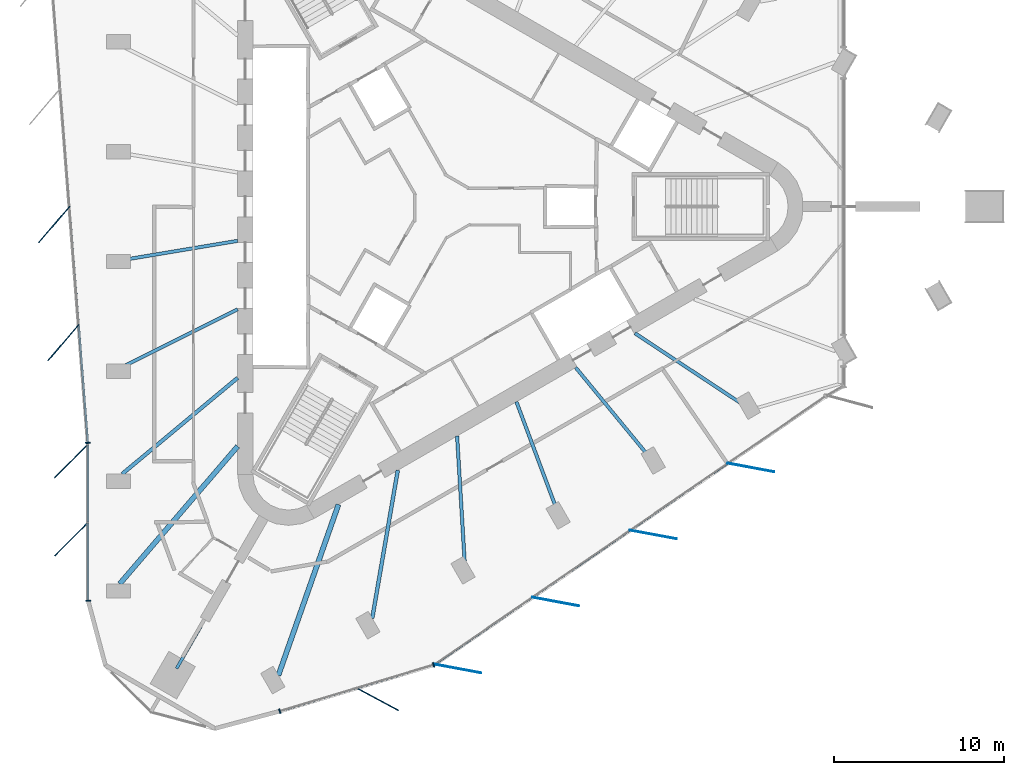
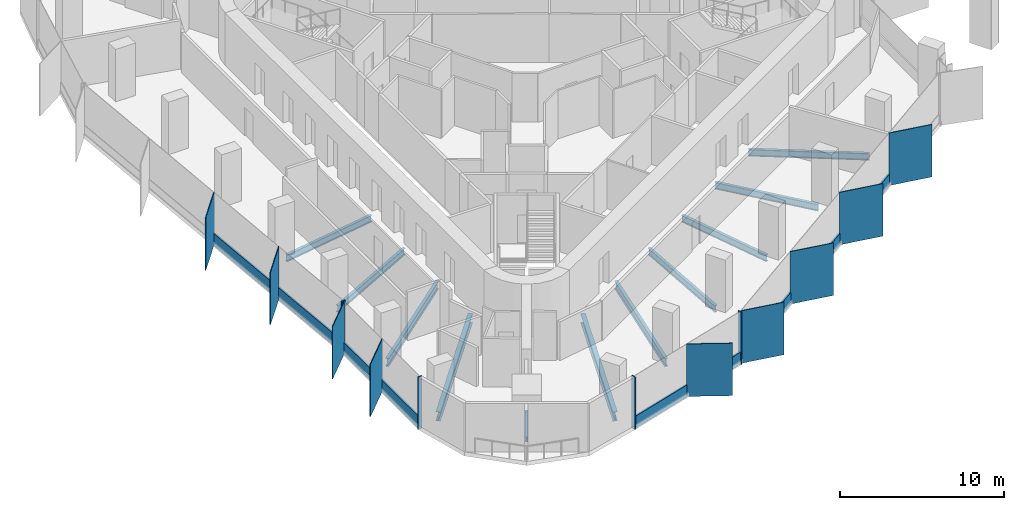
# One storey, part 2 of 12: 22 members, 11 beams, 4 elements without a shape of their own.
"""IFC4 building model written with IfcOpenShell, lengths in metres."""

import ifcopenshell
import ifcopenshell.guid

model = None  # the IFC model being written
_history = None  # IfcOwnerHistory: only IFC2X3 demands one
_inside = {}  # id of a spatial element -> (the spatial element, [elements in it])
_under = {}  # id of a project, library or spatial element -> (it, [spatial elements below it])
_declared = {}  # id of a project -> (the project, [libraries it declares])
_typed = {}  # id of a type object -> (the type object, [elements of that type])
_made_of = {}  # id of a material, layer set ... -> (it, [elements and type objects made of it])


def new_model(schema):
    """Start an empty IFC model of exactly this schema.

    Asked for "IFC4X3", IfcOpenShell would pick the latest addendum, in which some entities
    have other attributes; the version numbers below select the first issue.
    IFC2X3 requires an IfcOwnerHistory on every rooted entity: one is made here for all.
    """
    global model, _history
    if schema == "IFC4X3":
        model = ifcopenshell.file(schema_version=(4, 3, 0, 0))
    else:
        model = ifcopenshell.file(schema=schema)
    _inside.clear()
    _under.clear()
    _declared.clear()
    _typed.clear()
    _made_of.clear()
    _history = None
    if model.schema == "IFC2X3":
        org = make("IfcOrganization", Name="unknown")
        user = make(
            "IfcPersonAndOrganization",
            ThePerson=make("IfcPerson", FamilyName="unknown"),
            TheOrganization=org,
        )
        app = make(
            "IfcApplication",
            ApplicationDeveloper=org,
            Version="unknown",
            ApplicationFullName="unknown",
            ApplicationIdentifier="unknown",
        )
        _history = make(
            "IfcOwnerHistory",
            OwningUser=user,
            OwningApplication=app,
            ChangeAction="ADDED",
            CreationDate=0,
        )
    return model


def make(cls, **values):
    """One entity of the class cls with the attributes given. An attribute that is None is left unset."""
    return model.create_entity(
        cls, **{name: value for name, value in values.items() if value is not None}
    )


def rooted(cls, **values):
    """An entity with a GlobalId (a new one), such as an element, a storey or a relation."""
    return make(cls, GlobalId=ifcopenshell.guid.new(), OwnerHistory=_history, **values)


def si_unit(unit_type, name, prefix=None):
    """IfcSIUnit, for example si_unit("LENGTHUNIT", "METRE", prefix="MILLI")."""
    return make("IfcSIUnit", UnitType=unit_type, Prefix=prefix, Name=name)


def assignment(units):
    """IfcUnitAssignment: the units of a project."""
    return None if units is None else make("IfcUnitAssignment", Units=units)


def point(xyz):
    """IfcCartesianPoint."""
    return None if xyz is None else make("IfcCartesianPoint", Coordinates=xyz)


def direction(xyz):
    """IfcDirection."""
    return None if xyz is None else make("IfcDirection", DirectionRatios=xyz)


def frame(location, z_axis=None, x_axis=None):
    """IfcAxis2Placement3D, a coordinate frame: its origin and axes. An axis left out is left unset."""
    return make(
        "IfcAxis2Placement3D",
        Location=point(location),
        Axis=direction(z_axis),
        RefDirection=direction(x_axis),
    )


def frame_2d(location, x_axis=None):
    """IfcAxis2Placement2D, a coordinate frame in the plane: its origin and x axis."""
    return make(
        "IfcAxis2Placement2D", Location=point(location), RefDirection=direction(x_axis)
    )


def origin():
    """The frame at (0, 0, 0) with its axes left unset."""
    return frame((0.0, 0.0, 0.0))


def origin_2d():
    """The frame at (0, 0) in the plane with its x axis left unset."""
    return frame_2d((0.0, 0.0))


def place(relative_to, where):
    """IfcLocalPlacement: puts the frame where relative to a parent placement (None: the world)."""
    return make(
        "IfcLocalPlacement", PlacementRelTo=relative_to, RelativePlacement=where
    )


def context(
    kind, dimensions, precision=None, world=None, true_north=None, identifier=None
):
    """IfcGeometricRepresentationContext, for example the 3D "Model" context."""
    return make(
        "IfcGeometricRepresentationContext",
        ContextIdentifier=identifier,
        ContextType=kind,
        CoordinateSpaceDimension=dimensions,
        Precision=precision,
        WorldCoordinateSystem=world,
        TrueNorth=true_north,
    )


def subcontext(parent, identifier, kind, view, scale=None):
    """IfcGeometricRepresentationSubContext, for example "Body" below "Model"."""
    return make(
        "IfcGeometricRepresentationSubContext",
        ContextIdentifier=identifier,
        ContextType=kind,
        ParentContext=parent,
        TargetScale=scale,
        TargetView=view,
    )


def project(units=None, contexts=None):
    """IfcProject with its units and contexts."""
    return rooted(
        "IfcProject",
        Name="project",
        RepresentationContexts=contexts,
        UnitsInContext=assignment(units),
    )


def spatial(cls, under=None, at=None, **own):
    """A site, building, storey or space (cls), placed at a placement, below another one or the project."""
    s = rooted(cls, ObjectPlacement=at, **own)
    if under is not None:
        _under.setdefault(under.id(), (under, []))[1].append(s)
    return s


def profile(cls, at=None, kind="AREA", **sizes):
    """A parametric profile (cls). Its sizes go by their IFC names, for example OverallWidth=200.0."""
    return make(cls, ProfileType=kind, Position=at, **sizes)


def rectangle(**sizes):
    """IfcRectangleProfileDef."""
    return profile("IfcRectangleProfileDef", **sizes)


def i_section(**sizes):
    """IfcIShapeProfileDef."""
    return profile("IfcIShapeProfileDef", **sizes)


def extrude(swept, where, along, depth):
    """IfcExtrudedAreaSolid: the profile swept, set in the frame where, extruded along a direction by depth."""
    return make(
        "IfcExtrudedAreaSolid",
        SweptArea=swept,
        Position=where,
        ExtrudedDirection=direction(along),
        Depth=depth,
    )


def shape(context_of_items, identifier, shape_type, items):
    """IfcShapeRepresentation: the items that make up one representation, for example the "Body"."""
    return make(
        "IfcShapeRepresentation",
        ContextOfItems=context_of_items,
        RepresentationIdentifier=identifier,
        RepresentationType=shape_type,
        Items=items,
    )


def material(Name=None, Category=None):
    """IfcMaterial."""
    return make("IfcMaterial", Name=Name, Category=Category)


def material_profile(
    of_material, cross_section, Name=None, Category=None, Priority=None
):
    """IfcMaterialProfile: a cross section and its material."""
    return make(
        "IfcMaterialProfile",
        Name=Name,
        Material=of_material,
        Profile=cross_section,
        Priority=Priority,
        Category=Category,
    )


def profile_set(profiles, Name=None, composite=None):
    """IfcMaterialProfileSet."""
    return make(
        "IfcMaterialProfileSet",
        Name=Name,
        MaterialProfiles=profiles,
        CompositeProfile=composite,
    )


def made_of(thing, what):
    """Note that an element or type object is made of a material, layer set ...; save() writes the relation."""
    if what is not None:
        _made_of.setdefault(what.id(), (what, []))[1].append(thing)
    return thing


def type_object(cls, material=None, **own):
    """A type object (cls), such as IfcWallType, which elements share."""
    return made_of(rooted(cls, **own), material)


def element(
    cls,
    number,
    at=None,
    inside=None,
    cuts=None,
    type_object=None,
    material=None,
    context=None,
    identifier="Body",
    shape_type=None,
    held_by="IfcProductDefinitionShape",
    body=None,
    shapes=None,
    **own,
):
    """One element of the class cls, such as IfcWall. Its Tag is "e" and its number.

    at: its placement. inside: the storey or other place that contains it. cuts: it is an
    opening in that element (IfcRelVoidsElement). A single representation is given by context,
    identifier, shape_type and body (its items); several are given by shapes. held_by: the class
    of the entity that holds the representations. save() writes the other relations.
    """
    e = rooted(cls, Tag="e%d" % number, ObjectPlacement=at, **own)
    if body is not None:
        shapes = [shape(context, identifier, shape_type, body)]
    if shapes is not None:
        e.Representation = make(held_by, Representations=shapes)
    if inside is not None:
        _inside.setdefault(inside.id(), (inside, []))[1].append(e)
    if cuts is not None:
        rooted(
            "IfcRelVoidsElement", RelatingBuildingElement=cuts, RelatedOpeningElement=e
        )
    if type_object is not None:
        _typed.setdefault(type_object.id(), (type_object, []))[1].append(e)
    return made_of(e, material)


def aggregate(whole, parts):
    """IfcRelAggregates: a whole, such as a stair, and the parts it consists of."""
    return rooted("IfcRelAggregates", RelatingObject=whole, RelatedObjects=parts)


def save(model, path):
    """Write the relations noted so far, then the file.

    IfcRelAggregates (storeys below a building ...), IfcRelContainedInSpatialStructure (elements
    in a storey), IfcRelDefinesByType, IfcRelAssociatesMaterial and IfcRelDeclares: one each for
    every whole, place, type object, material and project.
    """
    for whole, parts in _under.values():
        aggregate(whole, parts)
    for where, things in _inside.values():
        rooted(
            "IfcRelContainedInSpatialStructure",
            RelatedElements=things,
            RelatingStructure=where,
        )
    for kind, things in _typed.values():
        rooted("IfcRelDefinesByType", RelatedObjects=things, RelatingType=kind)
    for what, things in _made_of.values():
        rooted("IfcRelAssociatesMaterial", RelatedObjects=things, RelatingMaterial=what)
    for by, libraries in _declared.values():
        rooted("IfcRelDeclares", RelatingContext=by, RelatedDefinitions=libraries)
    model.write(path)


model = new_model("IFC4")

# Units and contexts
model_context = context("Model", 3, precision=1e-05, world=origin(), true_north=direction((0.0, 1.0)))
body_context = subcontext(model_context, "Body", "Model", "MODEL_VIEW")
ifc_project = project(units=[si_unit("LENGTHUNIT", "METRE"), si_unit("AREAUNIT", "SQUARE_METRE"), si_unit("VOLUMEUNIT", "CUBIC_METRE"), si_unit("PLANEANGLEUNIT", "RADIAN"), si_unit("MASSUNIT", "GRAM", prefix="KILO")], contexts=[model_context])

# Site, building, storey
site_placement = place(None, origin())
site = spatial("IfcSite", under=ifc_project, at=site_placement, CompositionType="ELEMENT")
building_placement = place(site_placement, origin())
building = spatial("IfcBuilding", under=site, at=building_placement, Name="Tanit Gate Tower", CompositionType="ELEMENT")
storey_placement = place(building_placement, frame((0.0, 0.0, 368.89990234375)))
storey = spatial("IfcBuildingStorey", under=building, at=storey_placement, Name="L84", CompositionType="ELEMENT", Elevation=368.89990234375)

# Curtain wall, members
ifc_material_1 = material(Name="Aluminium bronze anodised and glass", Category="aluminium")
curtain_wall_type = type_object("IfcCurtainWallType", Name="Curtain wall typical high", PredefinedType="NOTDEFINED", material=ifc_material_1)
curtain_wall_1_placement = place(storey_placement, origin())
curtain_wall_1 = element("IfcCurtainWall", 1, at=curtain_wall_1_placement, inside=storey, type_object=curtain_wall_type, Name="Curtain wall L84 W2", PredefinedType="NOTDEFINED")
ifc_material_2 = material(Name="Aluminium bronze anodised", Category="aluminium")
ifc_material_profile_1 = material_profile(ifc_material_2, rectangle(XDim=2.800048828125, YDim=0.055908203125, at=origin_2d()), Name="56x2800 bronze fin mullion")
ifc_profile_set_1 = profile_set([ifc_material_profile_1], Name="Aluminium bronze anodised")
member_type_1 = type_object("IfcMemberType", Name="FIN MULLION 56x2800 bronze", PredefinedType="MULLION", material=ifc_profile_set_1)
member_1_placement = place(storey_placement, frame((-22.896484375, -1.051025390625, -0.2998046875), z_axis=(0.0, 0.0, 1.0), x_axis=(0.650025975428, 0.75991198916, 0.0)))
member_1 = element("IfcMember", 2, at=member_1_placement, type_object=member_type_1, Name="Fin mullion L84 W2.3", PredefinedType="MULLION", context=body_context, shape_type="SweptSolid", body=[
    extrude(rectangle(XDim=2.800048828125, YDim=0.055908203125, at=origin_2d()), origin(), (0.0, 0.0, 1.0), 3.89990234375),
])
member_2_placement = place(storey_placement, frame((-22.354736328125, -8.002685546875, -0.2998046875), z_axis=(0.0, 0.0, 1.0), x_axis=(0.650025975428, 0.75991198916, 0.0)))
member_2 = element("IfcMember", 3, at=member_2_placement, type_object=member_type_1, Name="Fin mullion L84 W2.4", PredefinedType="MULLION", context=body_context, shape_type="SweptSolid", body=[
    extrude(rectangle(XDim=2.800048828125, YDim=0.055908203125, at=origin_2d()), origin(), (0.0, 0.0, 1.0), 3.89990234375),
])

curtain_wall_2_placement = place(storey_placement, origin())
curtain_wall_2 = element("IfcCurtainWall", 4, at=curtain_wall_2_placement, inside=storey, type_object=curtain_wall_type, Name="Curtain wall L84 W3", PredefinedType="NOTDEFINED")
member_3_placement = place(storey_placement, frame((-21.88720703125, -14.962890625, -0.2998046875), z_axis=(0.0, 0.0, 1.0), x_axis=(0.706136122136, 0.70807610962, 0.0)))
member_3 = element("IfcMember", 5, at=member_3_placement, type_object=member_type_1, Name="Fin mullion L84 W3.1", PredefinedType="MULLION", context=body_context, shape_type="SweptSolid", body=[
    extrude(rectangle(XDim=2.800048828125, YDim=0.055908203125, at=origin_2d()), origin(), (0.0, 0.0, 1.0), 3.89990234375),
])
member_4_placement = place(storey_placement, frame((-21.880859375, -19.5673828125, -0.2998046875), z_axis=(0.0, 0.0, 1.0), x_axis=(0.706136122136, 0.70807610962, 0.0)))
member_4 = element("IfcMember", 6, at=member_4_placement, type_object=member_type_1, Name="Fin mullion L84 W3.2", PredefinedType="MULLION", context=body_context, shape_type="SweptSolid", body=[
    extrude(rectangle(XDim=2.800048828125, YDim=0.055908203125, at=origin_2d()), origin(), (0.0, 0.0, 1.0), 3.89990234375),
])

# Curtain wall, member
curtain_wall_3_placement = place(storey_placement, origin())
curtain_wall_3 = element("IfcCurtainWall", 7, at=curtain_wall_3_placement, inside=storey, type_object=curtain_wall_type, Name="Curtain wall L84 SE1", PredefinedType="NOTDEFINED")
member_5_placement = place(storey_placement, frame((-3.87841796875, -28.991455078125, -0.2998046875), z_axis=(0.0, 0.0, 1.0), x_axis=(-0.881019262525, 0.473080393866, 0.0)))
member_5 = element("IfcMember", 8, at=member_5_placement, type_object=member_type_1, Name="Fin mullion L84 SE1.2", PredefinedType="MULLION", context=body_context, shape_type="SweptSolid", body=[
    extrude(rectangle(XDim=2.800048828125, YDim=0.055908203125, at=origin_2d()), origin(), (0.0, 0.0, 1.0), 3.89990234375),
])

# Curtain wall, members
curtain_wall_4_placement = place(storey_placement, origin())
curtain_wall_4 = element("IfcCurtainWall", 9, at=curtain_wall_4_placement, inside=storey, type_object=curtain_wall_type, Name="Curtain wall L84 SE2", PredefinedType="NOTDEFINED")
member_6_placement = place(storey_placement, frame((0.859619140625, -27.193603515625, -0.2998046875), z_axis=(0.0, 0.0, 1.0), x_axis=(-0.983116074967, 0.182983013261, 0.0)))
member_6 = element("IfcMember", 10, at=member_6_placement, type_object=member_type_1, Name="Fin mullion L84 SE2.1", PredefinedType="MULLION", context=body_context, shape_type="SweptSolid", body=[
    extrude(rectangle(XDim=2.800048828125, YDim=0.055908203125, at=origin_2d()), origin(), (0.0, 0.0, 1.0), 3.89990234375),
])
member_7_placement = place(storey_placement, frame((6.609130859375, -23.24853515625, -0.2998046875), z_axis=(0.0, 0.0, 1.0), x_axis=(-0.983116074967, 0.182983013261, 0.0)))
member_7 = element("IfcMember", 11, at=member_7_placement, type_object=member_type_1, Name="Fin mullion L84 SE2.2", PredefinedType="MULLION", context=body_context, shape_type="SweptSolid", body=[
    extrude(rectangle(XDim=2.800048828125, YDim=0.055908203125, at=origin_2d()), origin(), (0.0, 0.0, 1.0), 3.89990234375),
])
member_8_placement = place(storey_placement, frame((12.358642578125, -19.303466796875, -0.2998046875), z_axis=(0.0, 0.0, 1.0), x_axis=(-0.983116074967, 0.182983013261, 0.0)))
member_8 = element("IfcMember", 12, at=member_8_placement, type_object=member_type_1, Name="Fin mullion L84 SE2.3", PredefinedType="MULLION", context=body_context, shape_type="SweptSolid", body=[
    extrude(rectangle(XDim=2.800048828125, YDim=0.055908203125, at=origin_2d()), origin(), (0.0, 0.0, 1.0), 3.89990234375),
])
member_9_placement = place(storey_placement, frame((18.10791015625, -15.3583984375, -0.2998046875), z_axis=(0.0, 0.0, 1.0), x_axis=(-0.983116074967, 0.182983013261, 0.0)))
member_9 = element("IfcMember", 13, at=member_9_placement, type_object=member_type_1, Name="Fin mullion L84 SE2.4", PredefinedType="MULLION", context=body_context, shape_type="SweptSolid", body=[
    extrude(rectangle(XDim=2.800048828125, YDim=0.055908203125, at=origin_2d()), origin(), (0.0, 0.0, 1.0), 3.89990234375),
])

# Member
ifc_material_3 = material(Name="Aluminium bronze anodised", Category="aluminium")
ifc_material_profile_2 = material_profile(ifc_material_3, rectangle(XDim=0.280029296875, YDim=0.080078125, at=origin_2d()), Name="80x280 bronze mullion")
ifc_profile_set_2 = profile_set([ifc_material_profile_2], Name="Aluminium bronze anodised")
member_type_2 = type_object("IfcMemberType", Name="Mullion 80x280 typical high", PredefinedType="MULLION", material=ifc_profile_set_2)
member_10_placement = place(storey_placement, frame((-20.915771484375, -13.90576171875, -0.2998046875), z_axis=(0.0, 0.0, 1.0), x_axis=(0.996976695812, 0.077701145467, 0.0)))
member_10 = element("IfcMember", 14, at=member_10_placement, type_object=member_type_2, Name="Mullion L84 W2.5", PredefinedType="MULLION", context=body_context, shape_type="SweptSolid", body=[
    extrude(rectangle(XDim=0.280029296875, YDim=0.080078125, at=origin_2d()), origin(), (0.0, 0.0, 1.0), 3.89990234375),
])

member_11_placement = place(storey_placement, frame((-20.89990234375, -23.194580078125, -0.2998046875), z_axis=(0.0, 0.0, 1.0), x_axis=(0.999999059112, 0.001371778306, 0.0)))
member_11 = element("IfcMember", 15, at=member_11_placement, type_object=member_type_2, Name="Mullion L84 W3.3", PredefinedType="MULLION", context=body_context, shape_type="SweptSolid", body=[
    extrude(rectangle(XDim=0.280029296875, YDim=0.080078125, at=origin_2d()), origin(), (0.0, 0.0, 1.0), 3.89990234375),
])

member_12_placement = place(storey_placement, frame((-9.6201171875, -29.7021484375, -0.2998046875), z_axis=(0.0, 0.0, 1.0), x_axis=(-0.288456340338, 0.957493049436, 0.0)))
member_12 = element("IfcMember", 16, at=member_12_placement, type_object=member_type_2, Name="Mullion L84 SE1.1", PredefinedType="MULLION", context=body_context, shape_type="SweptSolid", body=[
    extrude(rectangle(XDim=0.280029296875, YDim=0.080078125, at=origin_2d()), origin(), (0.0, 0.0, 1.0), 3.89990234375),
])

member_13_placement = place(storey_placement, frame((-0.568603515625, -26.97509765625, -0.2998046875), z_axis=(0.0, 0.0, 1.0), x_axis=(-0.288456340338, 0.957493049436, 0.0)))
member_13 = element("IfcMember", 17, at=member_13_placement, type_object=member_type_2, Name="Mullion L84 SE1.3", PredefinedType="MULLION", context=body_context, shape_type="SweptSolid", body=[
    extrude(rectangle(XDim=0.280029296875, YDim=0.080078125, at=origin_2d()), origin(), (0.0, 0.0, 1.0), 3.89990234375),
])

# Beams
ifc_material_4 = material(Name="Steel S355", Category="steel")
ifc_material_profile_3 = material_profile(ifc_material_4, i_section(OverallWidth=0.300048828125, OverallDepth=0.68994140625, WebThickness=0.014404296875, FlangeThickness=0.027099609375, FilletRadius=0.027099609375, at=origin_2d()), Name="HEA 700")
ifc_profile_set_3 = profile_set([ifc_material_profile_3], Name="Steel S355")
beam_type_1 = type_object("IfcBeamType", Name="RADIAL GIRDER HEA 700 S355", PredefinedType="BEAM", material=ifc_profile_set_3)
beam_1_placement = place(storey_placement, frame((-19.041259765625, -22.198486328125, -0.64501953125), z_axis=(0.651064859014, 0.759022100704, 0.0), x_axis=(-0.759022100704, 0.651064859014, 0.0)))
element("IfcBeam", 18, at=beam_1_placement, inside=storey, type_object=beam_type_1, Name="RADIAL GIRDER", PredefinedType="BEAM", context=body_context, shape_type="SweptSolid", body=[
    extrude(i_section(OverallWidth=0.300048828125, OverallDepth=0.68994140625, WebThickness=0.014404296875, FlangeThickness=0.027099609375, FilletRadius=0.027099609375, at=origin_2d()), origin(), (0.0, 0.0, 1.0), 10.658203125),
])
beam_2_placement = place(storey_placement, frame((-9.703857421875, -27.589599609375, -0.64501953125), z_axis=(0.331790708443, 0.943353022887, 0.0), x_axis=(-0.943353022887, 0.331790708443, 0.0)))
element("IfcBeam", 19, at=beam_2_placement, inside=storey, type_object=beam_type_1, Name="RADIAL GIRDER", PredefinedType="BEAM", context=body_context, shape_type="SweptSolid", body=[
    extrude(i_section(OverallWidth=0.300048828125, OverallDepth=0.68994140625, WebThickness=0.014404296875, FlangeThickness=0.027099609375, FilletRadius=0.027099609375, at=origin_2d()), origin(), (0.0, 0.0, 1.0), 10.658447265625),
])
ifc_material_5 = material(Name="Steel S355", Category="steel")
ifc_material_profile_4 = material_profile(ifc_material_5, i_section(OverallWidth=0.179931640625, OverallDepth=0.39990234375, WebThickness=0.008544921875, FlangeThickness=0.013427734375, FilletRadius=0.02099609375, at=origin_2d()), Name="IPE 400")
ifc_profile_set_4 = profile_set([ifc_material_profile_4], Name="Steel S355")
beam_type_2 = type_object("IfcBeamType", Name="RADIAL GIRDER IPE 400 S355", PredefinedType="BEAM", material=ifc_profile_set_4)
beam_3_placement = place(storey_placement, frame((-15.69580078125, -27.185791015625, -0.5), z_axis=(0.500068051468, 0.865986110686, 0.0), x_axis=(-0.865986110686, 0.500068051468, 0.0)))
element("IfcBeam", 20, at=beam_3_placement, inside=storey, type_object=beam_type_2, Name="RADIAL GIRDER", PredefinedType="BEAM", context=body_context, shape_type="SweptSolid", body=[
    extrude(i_section(OverallWidth=0.179931640625, OverallDepth=0.39990234375, WebThickness=0.008544921875, FlangeThickness=0.013427734375, FilletRadius=0.02099609375, at=origin_2d()), origin(), (0.0, 0.0, 1.0), 2.853515625),
])
ifc_material_6 = material(Name="Steel S355", Category="steel")
ifc_material_profile_5 = material_profile(ifc_material_6, i_section(OverallWidth=0.199951171875, OverallDepth=0.5, WebThickness=0.01025390625, FlangeThickness=0.01611328125, FilletRadius=0.02099609375, at=origin_2d()), Name="IPE 500")
ifc_profile_set_5 = profile_set([ifc_material_profile_5], Name="Steel S355")
beam_type_3 = type_object("IfcBeamType", Name="RADIAL GIRDER IPE 500 S355", PredefinedType="BEAM", material=ifc_profile_set_5)
beam_4_placement = place(storey_placement, frame((-18.705810546875, -3.115234375, -0.5498046875), z_axis=(0.986412644048, 0.164286626546, 0.0), x_axis=(-0.164286626546, 0.986412644048, 0.0)))
element("IfcBeam", 21, at=beam_4_placement, inside=storey, type_object=beam_type_3, Name="RADIAL GIRDER", PredefinedType="BEAM", context=body_context, shape_type="SweptSolid", body=[
    extrude(i_section(OverallWidth=0.199951171875, OverallDepth=0.5, WebThickness=0.01025390625, FlangeThickness=0.01611328125, FilletRadius=0.02099609375, at=origin_2d()), origin(), (0.0, 0.0, 1.0), 6.69482421875),
])
beam_5_placement = place(storey_placement, frame((-18.705810546875, -9.34619140625, -0.5498046875), z_axis=(0.894552827641, 0.44696223393, 0.0), x_axis=(-0.44696223393, 0.894552827641, 0.0)))
element("IfcBeam", 22, at=beam_5_placement, inside=storey, type_object=beam_type_3, Name="RADIAL GIRDER", PredefinedType="BEAM", context=body_context, shape_type="SweptSolid", body=[
    extrude(i_section(OverallWidth=0.199951171875, OverallDepth=0.5, WebThickness=0.01025390625, FlangeThickness=0.01611328125, FilletRadius=0.02099609375, at=origin_2d()), origin(), (0.0, 0.0, 1.0), 7.382080078125),
])
beam_6_placement = place(storey_placement, frame((1.259033203125, -20.872802734375, -0.5498046875), z_axis=(-0.060222471201, 0.998184979832, 0.0), x_axis=(-0.998184979832, -0.060222471201, 0.0)))
element("IfcBeam", 23, at=beam_6_placement, inside=storey, type_object=beam_type_3, Name="RADIAL GIRDER", PredefinedType="BEAM", context=body_context, shape_type="SweptSolid", body=[
    extrude(i_section(OverallWidth=0.199951171875, OverallDepth=0.5, WebThickness=0.01025390625, FlangeThickness=0.01611328125, FilletRadius=0.02099609375, at=origin_2d()), origin(), (0.0, 0.0, 1.0), 7.38232421875),
])
for number, where, z_axis, x_axis, name in (
    (24, (6.655029296875, -17.75732421875, -0.5498046875), (-0.350955589185, 0.93639210506, 0.0), (-0.93639210506, -0.350955589185, 0.0), "RADIAL GIRDER"),
    (25, (12.05078125, -14.64208984375, -0.5498046875), (-0.63547714301, 0.772119680303, 0.0), (-0.772119680303, -0.63547714301, 0.0), "RADIAL GIRDER"),
):
    element("IfcBeam", number, at=place(storey_placement, frame(where, z_axis=z_axis, x_axis=x_axis)), inside=storey, type_object=beam_type_3, Name=name, PredefinedType="BEAM", context=body_context, shape_type="SweptSolid", body=[
        extrude(i_section(OverallWidth=0.199951171875, OverallDepth=0.5, WebThickness=0.01025390625, FlangeThickness=0.01611328125, FilletRadius=0.02099609375, at=origin_2d()), origin(), (0.0, 0.0, 1.0), 6.69482421875),
    ])
beam_7_placement = place(storey_placement, frame((17.447021484375, -11.526611328125, -0.5498046875), z_axis=(-0.834352975329, 0.551230543929, 0.0), x_axis=(-0.551230543929, -0.834352975329, 0.0)))
element("IfcBeam", 26, at=beam_7_placement, inside=storey, type_object=beam_type_3, Name="RADIAL GIRDER", PredefinedType="BEAM", context=body_context, shape_type="SweptSolid", body=[
    extrude(i_section(OverallWidth=0.199951171875, OverallDepth=0.5, WebThickness=0.01025390625, FlangeThickness=0.01611328125, FilletRadius=0.02099609375, at=origin_2d()), origin(), (0.0, 0.0, 1.0), 7.38232421875),
])
ifc_material_7 = material(Name="Steel S355", Category="steel")
ifc_material_profile_6 = material_profile(ifc_material_7, i_section(OverallWidth=0.219970703125, OverallDepth=0.60009765625, WebThickness=0.011962890625, FlangeThickness=0.01904296875, FilletRadius=0.02392578125, at=origin_2d()), Name="IPE 600")
ifc_profile_set_6 = profile_set([ifc_material_profile_6], Name="Steel S355")
beam_type_4 = type_object("IfcBeamType", Name="RADIAL GIRDER IPE 600 S355", PredefinedType="BEAM", material=ifc_profile_set_6)
beam_8_placement = place(storey_placement, frame((-18.8955078125, -15.734619140625, -0.599853515625), z_axis=(0.768456646973, 0.639901853195, 0.0), x_axis=(-0.639901853195, 0.768456646973, 0.0)))
element("IfcBeam", 27, at=beam_8_placement, inside=storey, type_object=beam_type_4, Name="RADIAL GIRDER", PredefinedType="BEAM", context=body_context, shape_type="SweptSolid", body=[
    extrude(i_section(OverallWidth=0.219970703125, OverallDepth=0.60009765625, WebThickness=0.011962890625, FlangeThickness=0.01904296875, FilletRadius=0.02392578125, at=origin_2d()), origin(), (0.0, 0.0, 1.0), 8.84033203125),
])
beam_9_placement = place(storey_placement, frame((-4.178955078125, -24.231201171875, -0.599853515625), z_axis=(0.169949456618, 0.985452780297, 0.0), x_axis=(-0.985452780297, 0.169949456618, 0.0)))
element("IfcBeam", 28, at=beam_9_placement, inside=storey, type_object=beam_type_4, Name="RADIAL GIRDER", PredefinedType="BEAM", context=body_context, shape_type="SweptSolid", body=[
    extrude(i_section(OverallWidth=0.219970703125, OverallDepth=0.60009765625, WebThickness=0.011962890625, FlangeThickness=0.01904296875, FilletRadius=0.02392578125, at=origin_2d()), origin(), (0.0, 0.0, 1.0), 8.840576171875),
])

# Member
ifc_material_8 = material(Name="Aluminium bronze anodised", Category="aluminium")
ifc_material_profile_7 = material_profile(ifc_material_8, rectangle(XDim=0.1201171875, YDim=0.89990234375, at=origin_2d()), Name="120x900 bronze transom")
ifc_profile_set_7 = profile_set([ifc_material_profile_7], Name="Aluminium bronze anodised")
member_type_3 = type_object("IfcMemberType", Name="Transom 120x900 typical high", PredefinedType="USERDEFINED", material=ifc_profile_set_7)
member_14_placement = place(storey_placement, frame((-21.996337890625, -0.042236328125, 0.150146484375), z_axis=(0.077712188941, -0.996975835058, 0.0), x_axis=(0.996975835058, 0.077712188941, 0.0)))
member_14 = element("IfcMember", 29, at=member_14_placement, type_object=member_type_3, Name="Transom L84 W2.3", ObjectType="TRANSOM", PredefinedType="USERDEFINED", context=body_context, shape_type="SweptSolid", body=[
    extrude(rectangle(XDim=0.1201171875, YDim=0.89990234375, at=origin_2d()), origin(), (0.0, 0.0, 1.0), 6.892578125),
])

member_15_placement = place(storey_placement, frame((-21.454345703125, -6.993896484375, 0.150146484375), z_axis=(0.077676982382, -0.996978578711, 0.0), x_axis=(0.996978578711, 0.077676982382, 0.0)))
member_15 = element("IfcMember", 30, at=member_15_placement, type_object=member_type_3, Name="Transom L84 W2.4", ObjectType="TRANSOM", PredefinedType="USERDEFINED", context=body_context, shape_type="SweptSolid", body=[
    extrude(rectangle(XDim=0.1201171875, YDim=0.89990234375, at=origin_2d()), origin(), (0.0, 0.0, 1.0), 6.892578125),
])

aggregate(curtain_wall_1, [member_1, member_2, member_10, member_14, member_15])

member_16_placement = place(storey_placement, frame((-20.91259765625, -14.025634765625, 0.150146484375), z_axis=(0.001402977251, -0.999999015827, 0.0), x_axis=(0.999999015827, 0.001402977251, 0.0)))
member_16 = element("IfcMember", 31, at=member_16_placement, type_object=member_type_3, Name="Transom L84 W3.1", ObjectType="TRANSOM", PredefinedType="USERDEFINED", context=body_context, shape_type="SweptSolid", body=[
    extrude(rectangle(XDim=0.1201171875, YDim=0.89990234375, at=origin_2d()), origin(), (0.0, 0.0, 1.0), 4.5244140625),
])

member_17_placement = place(storey_placement, frame((-20.90625, -18.630126953125, 0.150146484375), z_axis=(0.001349016687, -0.999999090077, 0.0), x_axis=(0.999999090077, 0.001349016687, 0.0)))
member_17 = element("IfcMember", 32, at=member_17_placement, type_object=member_type_3, Name="Transom L84 W3.2", ObjectType="TRANSOM", PredefinedType="USERDEFINED", context=body_context, shape_type="SweptSolid", body=[
    extrude(rectangle(XDim=0.1201171875, YDim=0.89990234375, at=origin_2d()), origin(), (0.0, 0.0, 1.0), 4.5244140625),
])

aggregate(curtain_wall_2, [member_3, member_4, member_11, member_16, member_17])

member_18_placement = place(storey_placement, frame((-9.581787109375, -29.6904296875, 0.150146484375), z_axis=(0.957495951761, 0.288446706276, 0.0), x_axis=(-0.288446706276, 0.957495951761, 0.0)))
member_18 = element("IfcMember", 33, at=member_18_placement, type_object=member_type_3, Name="Transom L84 SE1.1", ObjectType="TRANSOM", PredefinedType="USERDEFINED", context=body_context, shape_type="SweptSolid", body=[
    extrude(rectangle(XDim=0.1201171875, YDim=0.89990234375, at=origin_2d()), origin(), (0.0, 0.0, 1.0), 4.646728515625),
])

member_19_placement = place(storey_placement, frame((-5.05615234375, -28.3271484375, 0.150146484375), z_axis=(0.957495951761, 0.288446706276, 0.0), x_axis=(-0.288446706276, 0.957495951761, 0.0)))
member_19 = element("IfcMember", 34, at=member_19_placement, type_object=member_type_3, Name="Transom L84 SE1.2", ObjectType="TRANSOM", PredefinedType="USERDEFINED", context=body_context, shape_type="SweptSolid", body=[
    extrude(rectangle(XDim=0.1201171875, YDim=0.89990234375, at=origin_2d()), origin(), (0.0, 0.0, 1.0), 4.646728515625),
])

aggregate(curtain_wall_3, [member_12, member_5, member_13, member_18, member_19])

member_20_placement = place(storey_placement, frame((-0.46435546875, -26.91845703125, 0.150146484375), z_axis=(0.824554175841, 0.565783007083, 0.0), x_axis=(-0.565783007083, 0.824554175841, 0.0)))
member_20 = element("IfcMember", 35, at=member_20_placement, type_object=member_type_3, Name="Transom L84 SE2.1", ObjectType="TRANSOM", PredefinedType="USERDEFINED", context=body_context, shape_type="SweptSolid", body=[
    extrude(rectangle(XDim=0.1201171875, YDim=0.89990234375, at=origin_2d()), origin(), (0.0, 0.0, 1.0), 6.892822265625),
])

member_21_placement = place(storey_placement, frame((5.28515625, -22.973388671875, 0.150146484375), z_axis=(0.824554175841, 0.565783007083, 0.0), x_axis=(-0.565783007083, 0.824554175841, 0.0)))
member_21 = element("IfcMember", 36, at=member_21_placement, type_object=member_type_3, Name="Transom L84 SE2.2", ObjectType="TRANSOM", PredefinedType="USERDEFINED", context=body_context, shape_type="SweptSolid", body=[
    extrude(rectangle(XDim=0.1201171875, YDim=0.89990234375, at=origin_2d()), origin(), (0.0, 0.0, 1.0), 6.892822265625),
])

member_22_placement = place(storey_placement, frame((11.03466796875, -19.0283203125, 0.150146484375), z_axis=(0.824554175841, 0.565783007083, 0.0), x_axis=(-0.565783007083, 0.824554175841, 0.0)))
member_22 = element("IfcMember", 37, at=member_22_placement, type_object=member_type_3, Name="Transom L84 SE2.3", ObjectType="TRANSOM", PredefinedType="USERDEFINED", context=body_context, shape_type="SweptSolid", body=[
    extrude(rectangle(XDim=0.1201171875, YDim=0.89990234375, at=origin_2d()), origin(), (0.0, 0.0, 1.0), 6.892822265625),
])

aggregate(curtain_wall_4, [member_6, member_7, member_8, member_9, member_20, member_21, member_22])

save(model, "model.ifc")
